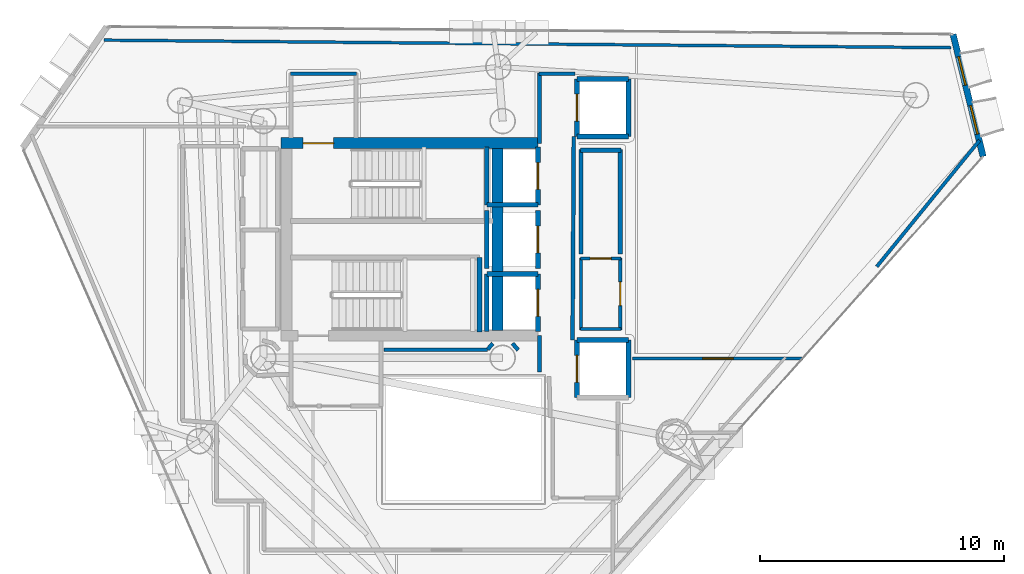
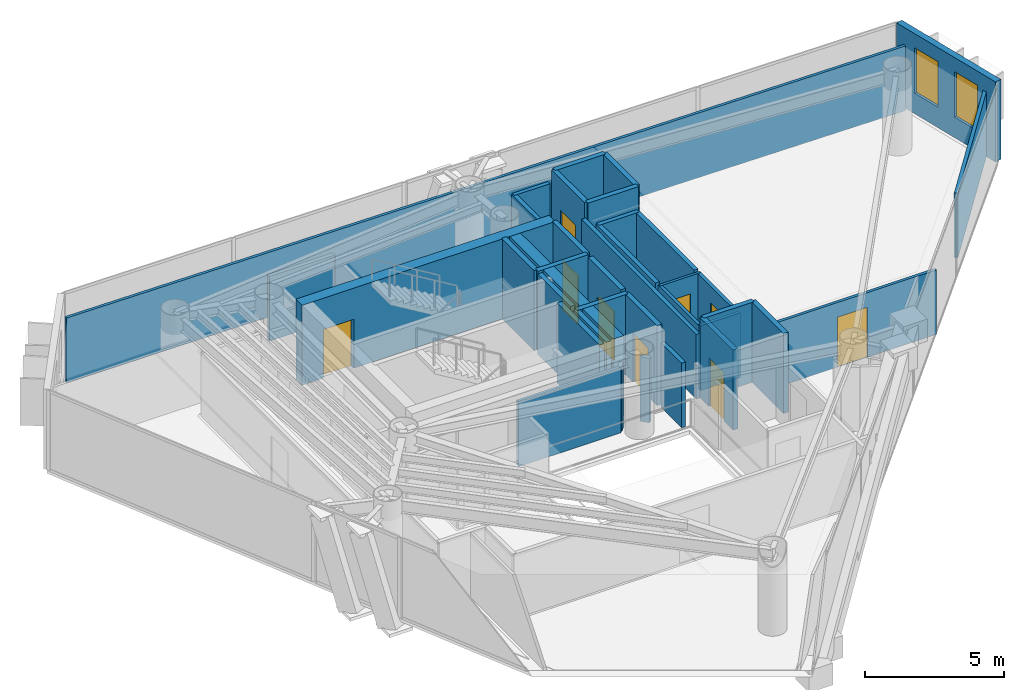
# One storey, part 17 of 21: 37 walls, 9 doors, 2 windows, 11 openings.
"""IFC4 building model written with IfcOpenShell, lengths in metres."""

from ifc_helpers import new_model, si_unit, direction, frame, frame_2d, origin, place, context, subcontext, project, spatial, rectangle, extrude, material, layer, layer_set, type_object, element, fill, save


model = new_model("IFC4")

# Units and contexts
model_context = context("Model", 3, precision=1e-05, world=origin(), true_north=direction((0.0, 1.0)))
body_context = subcontext(model_context, "Body", "Model", "MODEL_VIEW")
ifc_project = project(units=[si_unit("LENGTHUNIT", "METRE"), si_unit("AREAUNIT", "SQUARE_METRE"), si_unit("VOLUMEUNIT", "CUBIC_METRE"), si_unit("PLANEANGLEUNIT", "RADIAN"), si_unit("MASSUNIT", "GRAM", prefix="KILO")], contexts=[model_context])

# Site, building, storey
site_placement = place(None, origin())
site = spatial("IfcSite", under=ifc_project, at=site_placement, CompositionType="ELEMENT")
building_placement = place(site_placement, origin())
building = spatial("IfcBuilding", under=site, at=building_placement, Name="Qianvela Tower", CompositionType="ELEMENT")
storey_placement = place(building_placement, frame((0.0, 0.0, 250.10009765625)))
storey = spatial("IfcBuildingStorey", under=building, at=storey_placement, Name="L64", CompositionType="ELEMENT", Elevation=250.10009765625)

# Wall, openings, windows
ifc_material_1 = material(Name="Terracotta Cladding on Concrete C40", Category="masonry")
ifc_layer_1 = layer(ifc_material_1, 0.260009765625)
ifc_layer_set_1 = layer_set([ifc_layer_1], Name="Terracotta Cladding on Concrete C40")
wall_type_1 = type_object("IfcWallType", Name="TERRACOTTA-WALL-260", PredefinedType="SOLIDWALL", material=ifc_layer_set_1)
wall_1_placement = place(storey_placement, frame((58.08349609375, 32.09912109375, 0.0), z_axis=(0.0, 0.0, 1.0), x_axis=(-0.238833521102, 0.971060528082, 0.0)))
wall_1 = element("IfcWall", 1, at=wall_1_placement, inside=storey, type_object=wall_type_1, Name="L64 Terracotta Chamfer Facet Wall 1", PredefinedType="SOLIDWALL", context=body_context, shape_type="SweptSolid", body=[
    extrude(rectangle(XDim=5.154052734375, YDim=0.260009765625, at=frame_2d((2.5771484375, 0.0))), origin(), (0.0, 0.0, 1.0), 3.52001953125),
])
opening_1_placement = place(wall_1_placement, frame((0.9462890625, 0.0, 0.89990234375)))
opening_1 = element("IfcOpeningElement", 2, at=opening_1_placement, cuts=wall_1, Name="Opening W-03", PredefinedType="OPENING", context=body_context, shape_type="SweptSolid", body=[
    extrude(rectangle(XDim=1.199951171875, YDim=2.0, at=frame_2d((0.60009765625, 1.0))), frame((0.0, 0.139892578125, 0.0), z_axis=(0.0, -1.0, 0.0), x_axis=(1.0, 0.0, 0.0)), (0.0, 0.0, 1.0), 0.280029296875),
])
opening_2_placement = place(wall_1_placement, frame((3.0078125, 0.0, 0.89990234375)))
opening_2 = element("IfcOpeningElement", 3, at=opening_2_placement, cuts=wall_1, Name="Opening W-03", PredefinedType="OPENING", context=body_context, shape_type="SweptSolid", body=[
    extrude(rectangle(XDim=1.199951171875, YDim=2.0, at=frame_2d((0.60009765625, 1.0))), frame((0.0, 0.139892578125, 0.0), z_axis=(0.0, -1.0, 0.0), x_axis=(1.0, 0.0, 0.0)), (0.0, 0.0, 1.0), 0.280029296875),
])
ifc_material_2 = material(Name="Thermally Broken Aluminium and Low-E Glass", Category="aluminium")
window_type = type_object("IfcWindowType", Name="WIN-TC-1200x2000", PartitioningType="SINGLE_PANEL", PredefinedType="WINDOW", material=ifc_material_2)
window_1_placement = place(opening_1_placement, origin())
window_1 = element("IfcWindow", 4, at=window_1_placement, inside=storey, type_object=window_type, Name="L64 Chamfer Facet Window 1.1", OverallHeight=2.0, OverallWidth=1.199951171875, PartitioningType="SINGLE_PANEL", PredefinedType="WINDOW", context=body_context, shape_type="SweptSolid", body=[
    extrude(rectangle(XDim=1.199951171875, YDim=2.0, at=frame_2d((0.60009765625, 1.0))), frame((0.0, 0.030029296875, 0.0), z_axis=(0.0, -1.0, 0.0), x_axis=(1.0, 0.0, 0.0)), (0.0, 0.0, 1.0), 0.06005859375),
])
fill(opening_1, window_1)
window_2_placement = place(opening_2_placement, origin())
window_2 = element("IfcWindow", 5, at=window_2_placement, inside=storey, type_object=window_type, Name="L64 Chamfer Facet Window 1.2", OverallHeight=2.0, OverallWidth=1.199951171875, PartitioningType="SINGLE_PANEL", PredefinedType="WINDOW", context=body_context, shape_type="SweptSolid", body=[
    extrude(rectangle(XDim=1.199951171875, YDim=2.0, at=frame_2d((0.60009765625, 1.0))), frame((0.0, 0.030029296875, 0.0), z_axis=(0.0, -1.0, 0.0), x_axis=(1.0, 0.0, 0.0)), (0.0, 0.0, 1.0), 0.06005859375),
])
fill(opening_2, window_2)

# Wall, opening, door
ifc_material_3 = material(Name="Concrete C50", Category="concrete")
ifc_layer_2 = layer(ifc_material_3, 0.449951171875)
ifc_layer_set_2 = layer_set([ifc_layer_2], Name="Concrete C50")
wall_type_2 = type_object("IfcWallType", Name="WT-CORE-450", PredefinedType="SHEAR", material=ifc_layer_set_2)
wall_2_placement = place(storey_placement, frame((29.330078125, 32.64501953125, 0.0), z_axis=(0.0, 0.0, 1.0), x_axis=(1.0, 0.0, 0.0)))
wall_2 = element("IfcWall", 6, at=wall_2_placement, inside=storey, type_object=wall_type_2, Name="L64 North Core Shear Wall", PredefinedType="SHEAR", context=body_context, shape_type="SweptSolid", body=[
    extrude(rectangle(XDim=10.52001953125, YDim=0.449951171875, at=frame_2d((5.260009765625, 0.0))), origin(), (0.0, 0.0, 1.0), 3.52001953125),
])
opening_3_placement = place(wall_2_placement, frame((0.89501953125, 0.0, 0.0)))
opening_3 = element("IfcOpeningElement", 7, at=opening_3_placement, cuts=wall_2, Name="Opening D-ST1", PredefinedType="OPENING", context=body_context, shape_type="SweptSolid", body=[
    extrude(rectangle(XDim=1.25, YDim=2.14990234375, at=frame_2d((0.625, 1.074951171875))), frame((0.0, 0.23486328125, 0.0), z_axis=(0.0, -1.0, 0.0), x_axis=(1.0, 0.0, 0.0)), (0.0, 0.0, 1.0), 0.469970703125),
])
ifc_material_4 = material(Name="Galvanised Fire Steel Q355B", Category="steel")
door_type_1 = type_object("IfcDoorType", Name="DT-STAIR-FD90", OperationType="NOTDEFINED", PredefinedType="DOOR", material=ifc_material_4)
door_1_placement = place(opening_3_placement, origin())
door_1 = element("IfcDoor", 8, at=door_1_placement, inside=storey, type_object=door_type_1, Name="L64 Stair ST-1 Exit Door", OperationType="SINGLE_SWING_RIGHT", OverallHeight=2.14990234375, OverallWidth=1.25, PredefinedType="DOOR", context=body_context, shape_type="SweptSolid", body=[
    extrude(rectangle(XDim=1.25, YDim=2.14990234375, at=frame_2d((0.625, 1.074951171875))), frame((0.0, 0.02490234375, 0.0), z_axis=(0.0, -1.0, 0.0), x_axis=(1.0, 0.0, 0.0)), (0.0, 0.0, 1.0), 0.050048828125),
])
fill(opening_3, door_1)

# Walls
wall_3_placement = place(storey_placement, frame((38.179931640625, 24.97998046875, 0.0), z_axis=(0.0, 0.0, 1.0), x_axis=(0.0, 1.0, 0.0)))
element("IfcWall", 9, at=wall_3_placement, inside=storey, type_object=wall_type_2, Name="L64 East Spine Core Shear Wall", PredefinedType="SHEAR", context=body_context, shape_type="SweptSolid", body=[
    extrude(rectangle(XDim=7.43994140625, YDim=0.449951171875, at=frame_2d((3.719970703125, 0.0))), origin(), (0.0, 0.0, 1.0), 3.52001953125),
])
ifc_material_5 = material(Name="Fire-Rated Gypsum and Concrete Block", Category="concrete")
ifc_layer_3 = layer(ifc_material_5, 0.159912109375)
ifc_layer_set_3 = layer_set([ifc_layer_3], Name="Fire-Rated Gypsum and Concrete Block")
wall_type_3 = type_object("IfcWallType", Name="WT-CORR-160", PredefinedType="PARTITIONING", material=ifc_layer_set_3)
wall_4_placement = place(storey_placement, frame((29.699951171875, 35.489013671875, 0.0), z_axis=(0.0, 0.0, 1.0), x_axis=(1.0, 0.0, 0.0)))
element("IfcWall", 10, at=wall_4_placement, inside=storey, type_object=wall_type_3, Name="L64 Partition 3", PredefinedType="PARTITIONING", context=body_context, shape_type="SweptSolid", body=[
    extrude(rectangle(XDim=2.719970703125, YDim=0.159912109375, at=frame_2d((1.35986328125, 0.0))), origin(), (0.0, 0.0, 1.0), 2.83984375),
])
wall_5_placement = place(storey_placement, frame((39.910888671875, 23.280029296875, 0.0), z_axis=(0.0, 0.0, 1.0), x_axis=(0.0, 1.0, 0.0)))
element("IfcWall", 11, at=wall_5_placement, inside=storey, type_object=wall_type_3, Name="L64 Partition 10", PredefinedType="PARTITIONING", context=body_context, shape_type="SweptSolid", body=[
    extrude(rectangle(XDim=1.47998046875, YDim=0.159912109375, at=frame_2d((0.739990234375, 0.0))), origin(), (0.0, 0.0, 1.0), 2.83984375),
])
wall_6_placement = place(storey_placement, frame((39.910888671875, 32.639892578125, 0.0), z_axis=(0.0, 0.0, 1.0), x_axis=(0.0, 1.0, 0.0)))
element("IfcWall", 12, at=wall_6_placement, inside=storey, type_object=wall_type_3, Name="L64 Partition 12", PredefinedType="PARTITIONING", context=body_context, shape_type="SweptSolid", body=[
    extrude(rectangle(XDim=2.880126953125, YDim=0.159912109375, at=frame_2d((1.43994140625, 0.0))), origin(), (0.0, 0.0, 1.0), 2.83984375),
])
wall_7_placement = place(storey_placement, frame((39.8798828125, 35.489013671875, 0.0), z_axis=(0.0, 0.0, 1.0), x_axis=(1.0, 0.0, 0.0)))
element("IfcWall", 13, at=wall_7_placement, inside=storey, type_object=wall_type_3, Name="L64 Partition 13", PredefinedType="PARTITIONING", context=body_context, shape_type="SweptSolid", body=[
    extrude(rectangle(XDim=1.480224609375, YDim=0.159912109375, at=frame_2d((0.740234375, 0.0))), origin(), (0.0, 0.0, 1.0), 2.83984375),
])
wall_8_placement = place(storey_placement, frame((41.3134765625, 32.919921875, 0.0), z_axis=(0.0, 0.0, 1.0), x_axis=(-0.005942518022, -0.999982343084, 0.0)))
element("IfcWall", 14, at=wall_8_placement, inside=storey, type_object=wall_type_3, Name="L64 Partition 14 seg 2", PredefinedType="PARTITIONING", context=body_context, shape_type="SweptSolid", body=[
    extrude(rectangle(XDim=8.340087890625, YDim=0.159912109375, at=frame_2d((4.169921875, 0.0))), origin(), (0.0, 0.0, 1.0), 2.83984375),
])
wall_9_placement = place(storey_placement, frame((39.0361328125, 24.170166015625, 0.0), z_axis=(0.0, 0.0, 1.0), x_axis=(-0.652260263346, 0.757995084984, 0.0)))
element("IfcWall", 15, at=wall_9_placement, inside=storey, type_object=wall_type_3, Name="L64 Partition 49", PredefinedType="PARTITIONING", context=body_context, shape_type="SweptSolid", body=[
    extrude(rectangle(XDim=0.35546875, YDim=0.159912109375, at=frame_2d((0.177734375, 0.0))), origin(), (0.0, 0.0, 1.0), 2.83984375),
])
wall_10_placement = place(storey_placement, frame((37.995849609375, 24.439697265625, 0.0), z_axis=(0.0, 0.0, 1.0), x_axis=(-0.652425645794, -0.757852740782, 0.0)))
element("IfcWall", 16, at=wall_10_placement, inside=storey, type_object=wall_type_3, Name="L64 Partition 52", PredefinedType="PARTITIONING", context=body_context, shape_type="SweptSolid", body=[
    extrude(rectangle(XDim=0.319580078125, YDim=0.159912109375, at=frame_2d((0.15966796875, 0.0))), origin(), (0.0, 0.0, 1.0), 2.83984375),
])
wall_11_placement = place(storey_placement, frame((37.787353515625, 24.180908203125, 0.0), z_axis=(0.0, 0.0, 1.0), x_axis=(-1.0, 0.0, 0.0)))
element("IfcWall", 17, at=wall_11_placement, inside=storey, type_object=wall_type_3, Name="L64 Partition 53", PredefinedType="PARTITIONING", context=body_context, shape_type="SweptSolid", body=[
    extrude(rectangle(XDim=4.25732421875, YDim=0.159912109375, at=frame_2d((2.128662109375, 0.0))), origin(), (0.0, 0.0, 1.0), 2.83984375),
])

# Wall, opening, door
ifc_material_6 = material(Name="Lightweight Gypsum Room Partition")
ifc_layer_4 = layer(ifc_material_6, 0.10498046875)
ifc_layer_set_4 = layer_set([ifc_layer_4], Name="Lightweight Gypsum Room Partition")
wall_type_4 = type_object("IfcWallType", Name="WT-PART-105", PredefinedType="PARTITIONING", material=ifc_layer_set_4)
wall_12_placement = place(storey_placement, frame((41.580078125, 27.9189453125, 0.0), z_axis=(0.0, 0.0, 1.0), x_axis=(1.0, 0.0, 0.0)))
wall_12 = element("IfcWall", 18, at=wall_12_placement, inside=storey, type_object=wall_type_4, Name="L64 Partition 21", PredefinedType="PARTITIONING", context=body_context, shape_type="SweptSolid", body=[
    extrude(rectangle(XDim=1.669921875, YDim=0.10498046875, at=frame_2d((0.8349609375, 0.0))), origin(), (0.0, 0.0, 1.0), 2.83984375),
])
opening_4_placement = place(wall_12_placement, frame((0.405029296875, 0.0, 0.0)))
opening_4 = element("IfcOpeningElement", 19, at=opening_4_placement, cuts=wall_12, Name="Opening D-WC1", PredefinedType="OPENING", context=body_context, shape_type="SweptSolid", body=[
    extrude(rectangle(XDim=0.860107421875, YDim=2.050048828125, at=frame_2d((0.43017578125, 1.02490234375))), frame((0.0, 0.0625, 0.0), z_axis=(0.0, -1.0, 0.0), x_axis=(1.0, 0.0, 0.0)), (0.0, 0.0, 1.0), 0.125),
])
ifc_material_7 = material(Name="Moisture-Sealed Acoustic Timber Door", Category="wood")
door_type_2 = type_object("IfcDoorType", Name="DT-WC-860", OperationType="NOTDEFINED", PredefinedType="DOOR", material=ifc_material_7)
door_2_placement = place(opening_4_placement, origin())
door_2 = element("IfcDoor", 20, at=door_2_placement, inside=storey, type_object=door_type_2, Name="L64 Door L64 Accessible WC to L64 Cleaner Store", OperationType="SINGLE_SWING_LEFT", OverallHeight=2.050048828125, OverallWidth=0.860107421875, PredefinedType="DOOR", context=body_context, shape_type="SweptSolid", body=[
    extrude(rectangle(XDim=0.860107421875, YDim=2.050048828125, at=frame_2d((0.43017578125, 1.02490234375))), frame((0.0, 0.02490234375, 0.0), z_axis=(0.0, -1.0, 0.0), x_axis=(1.0, 0.0, 0.0)), (0.0, 0.0, 1.0), 0.050048828125),
])
fill(opening_4, door_2)

# Wall
ifc_material_8 = material(Name="Insulated Gypsum Stud Partition")
ifc_layer_5 = layer(ifc_material_8, 0.1201171875)
ifc_layer_set_5 = layer_set([ifc_layer_5], Name="Insulated Gypsum Stud Partition")
wall_type_5 = type_object("IfcWallType", Name="WT-PART-120", PredefinedType="PARTITIONING", material=ifc_layer_set_5)
wall_13_placement = place(storey_placement, frame((41.611083984375, 25.0, 0.0), z_axis=(0.0, 0.0, 1.0), x_axis=(0.0, 1.0, 0.0)))
element("IfcWall", 21, at=wall_13_placement, inside=storey, type_object=wall_type_5, Name="L64 Partition 20", PredefinedType="PARTITIONING", context=body_context, shape_type="SweptSolid", body=[
    extrude(rectangle(XDim=2.949951171875, YDim=0.1201171875, at=frame_2d((1.47509765625, 0.0))), origin(), (0.0, 0.0, 1.0), 2.83984375),
])

# Wall, opening, door
wall_14_placement = place(storey_placement, frame((43.719970703125, 23.826904296875, 0.0), z_axis=(0.0, 0.0, 1.0), x_axis=(1.0, 0.0, 0.0)))
wall_14 = element("IfcWall", 22, at=wall_14_placement, inside=storey, type_object=wall_type_5, Name="L64 Partition 77", PredefinedType="PARTITIONING", context=body_context, shape_type="SweptSolid", body=[
    extrude(rectangle(XDim=6.9853515625, YDim=0.1201171875, at=frame_2d((3.49267578125, 0.0))), origin(), (0.0, 0.0, 1.0), 2.83984375),
])
opening_5_placement = place(wall_14_placement, frame((2.86767578125, 0.0, 0.0)))
opening_5 = element("IfcOpeningElement", 23, at=opening_5_placement, cuts=wall_14, Name="Opening D-LG1", PredefinedType="OPENING", context=body_context, shape_type="SweptSolid", body=[
    extrude(rectangle(XDim=1.25, YDim=2.199951171875, at=frame_2d((0.625, 1.10009765625))), frame((0.0, 0.070068359375, 0.0), z_axis=(0.0, -1.0, 0.0), x_axis=(1.0, 0.0, 0.0)), (0.0, 0.0, 1.0), 0.14013671875),
])
ifc_material_9 = material(Name="Anodised Aluminium Acoustic Glass Door", Category="aluminium")
door_type_3 = type_object("IfcDoorType", Name="DT-LOUNGE-1250", OperationType="NOTDEFINED", PredefinedType="DOOR", material=ifc_material_9)
door_3_placement = place(opening_5_placement, origin())
door_3 = element("IfcDoor", 24, at=door_3_placement, inside=storey, type_object=door_type_3, Name="L64 Door Maker Craft Workshop L64-04 to Debate Lecture Classroom L64-02", OperationType="SINGLE_SWING_LEFT", OverallHeight=2.199951171875, OverallWidth=1.25, PredefinedType="DOOR", context=body_context, shape_type="SweptSolid", body=[
    extrude(rectangle(XDim=1.25, YDim=2.199951171875, at=frame_2d((0.625, 1.10009765625))), frame((0.0, 0.02490234375, 0.0), z_axis=(0.0, -1.0, 0.0), x_axis=(1.0, 0.0, 0.0)), (0.0, 0.0, 1.0), 0.050048828125),
])
fill(opening_5, door_3)

# Walls
wall_15_placement = place(storey_placement, frame((22.064453125, 36.864501953125, 0.0), z_axis=(0.0, 0.0, 1.0), x_axis=(0.999959914734, -0.008953710146, 0.0)))
element("IfcWall", 25, at=wall_15_placement, inside=storey, type_object=wall_type_5, Name="L64 Partition 110", PredefinedType="PARTITIONING", context=body_context, shape_type="SweptSolid", body=[
    extrude(rectangle(XDim=34.7109375, YDim=0.1201171875, at=frame_2d((17.35546875, 0.0))), origin(), (0.0, 0.0, 1.0), 2.83984375),
])
ifc_material_10 = material(Name="Moisture-Resistant Acoustic Plumbing Wall")
ifc_layer_6 = layer(ifc_material_10, 0.175048828125)
ifc_layer_set_6 = layer_set([ifc_layer_6], Name="Moisture-Resistant Acoustic Plumbing Wall")
wall_type_6 = type_object("IfcWallType", Name="WT-PLUMB-175", PredefinedType="PLUMBINGWALL", material=ifc_layer_set_6)
wall_16_placement = place(storey_placement, frame((41.611083984375, 28.110107421875, 0.0), z_axis=(0.0, 0.0, 1.0), x_axis=(0.0, 1.0, 0.0)))
element("IfcWall", 26, at=wall_16_placement, inside=storey, type_object=wall_type_6, Name="L64 Partition 24", PredefinedType="PLUMBINGWALL", context=body_context, shape_type="SweptSolid", body=[
    extrude(rectangle(XDim=4.269775390625, YDim=0.175048828125, at=frame_2d((2.134765625, 0.0))), origin(), (0.0, 0.0, 1.0), 2.83984375),
])
wall_17_placement = place(storey_placement, frame((41.580078125, 32.34912109375, 0.0), z_axis=(0.0, 0.0, 1.0), x_axis=(1.0, 0.0, 0.0)))
element("IfcWall", 27, at=wall_17_placement, inside=storey, type_object=wall_type_6, Name="L64 Partition 25", PredefinedType="PLUMBINGWALL", context=body_context, shape_type="SweptSolid", body=[
    extrude(rectangle(XDim=1.669921875, YDim=0.175048828125, at=frame_2d((0.8349609375, 0.0))), origin(), (0.0, 0.0, 1.0), 2.83984375),
])
wall_18_placement = place(storey_placement, frame((43.218994140625, 32.3798828125, 0.0), z_axis=(0.0, 0.0, 1.0), x_axis=(0.0, -1.0, 0.0)))
element("IfcWall", 28, at=wall_18_placement, inside=storey, type_object=wall_type_6, Name="L64 Partition 26", PredefinedType="PLUMBINGWALL", context=body_context, shape_type="SweptSolid", body=[
    extrude(rectangle(XDim=4.269775390625, YDim=0.175048828125, at=frame_2d((2.134765625, 0.0))), origin(), (0.0, 0.0, 1.0), 2.83984375),
])
ifc_material_11 = material(Name="Acoustic Double Gypsum Stud Partition")
ifc_layer_7 = layer(ifc_material_11, 0.139892578125)
ifc_layer_set_7 = layer_set([ifc_layer_7], Name="Acoustic Double Gypsum Stud Partition")
wall_type_7 = type_object("IfcWallType", Name="WT-ROOM-140", PredefinedType="PARTITIONING", material=ifc_layer_set_7)
wall_19_placement = place(storey_placement, frame((43.25, 25.031005859375, 0.0), z_axis=(0.0, 0.0, 1.0), x_axis=(-1.0, 0.0, 0.0)))
element("IfcWall", 29, at=wall_19_placement, inside=storey, type_object=wall_type_7, Name="L64 Partition 19", PredefinedType="PARTITIONING", context=body_context, shape_type="SweptSolid", body=[
    extrude(rectangle(XDim=1.669921875, YDim=0.139892578125, at=frame_2d((0.8349609375, 0.0))), origin(), (0.0, 0.0, 1.0), 2.83984375),
])

# Wall, opening, door
wall_20_placement = place(storey_placement, frame((43.218994140625, 27.949951171875, 0.0), z_axis=(0.0, 0.0, 1.0), x_axis=(0.0, -1.0, 0.0)))
wall_20 = element("IfcWall", 30, at=wall_20_placement, inside=storey, type_object=wall_type_7, Name="L64 Partition 22", PredefinedType="PARTITIONING", context=body_context, shape_type="SweptSolid", body=[
    extrude(rectangle(XDim=2.949951171875, YDim=0.139892578125, at=frame_2d((1.47509765625, 0.0))), origin(), (0.0, 0.0, 1.0), 2.83984375),
])
opening_6_placement = place(wall_20_placement, frame((0.985107421875, 0.0, 0.0)))
opening_6 = element("IfcOpeningElement", 31, at=opening_6_placement, cuts=wall_20, Name="Opening D-RM1", PredefinedType="OPENING", context=body_context, shape_type="SweptSolid", body=[
    extrude(rectangle(XDim=0.97998046875, YDim=2.10009765625, at=frame_2d((0.489990234375, 1.050048828125))), frame((0.0, 0.079833984375, 0.0), z_axis=(0.0, -1.0, 0.0), x_axis=(1.0, 0.0, 0.0)), (0.0, 0.0, 1.0), 0.159912109375),
])
ifc_material_12 = material(Name="Solid Core Acoustic Timber Fire Door", Category="wood")
door_type_4 = type_object("IfcDoorType", Name="DT-ROOM-FD60", OperationType="NOTDEFINED", PredefinedType="DOOR", material=ifc_material_12)
door_4_placement = place(opening_6_placement, origin())
door_4 = element("IfcDoor", 32, at=door_4_placement, inside=storey, type_object=door_type_4, Name="L64 Door L64 Cleaner Store to Maker Craft Workshop L64-04", OperationType="SINGLE_SWING_RIGHT", OverallHeight=2.10009765625, OverallWidth=0.97998046875, PredefinedType="DOOR", context=body_context, shape_type="SweptSolid", body=[
    extrude(rectangle(XDim=0.97998046875, YDim=2.10009765625, at=frame_2d((0.489990234375, 1.050048828125))), frame((0.0, 0.02490234375, 0.0), z_axis=(0.0, -1.0, 0.0), x_axis=(1.0, 0.0, 0.0)), (0.0, 0.0, 1.0), 0.050048828125),
])
fill(opening_6, door_4)

# Walls
wall_21_placement = place(storey_placement, frame((57.937255859375, 32.76220703125, 0.0), z_axis=(0.0, 0.0, 1.0), x_axis=(-0.631144944802, -0.775664913897, 0.0)))
element("IfcWall", 33, at=wall_21_placement, inside=storey, type_object=wall_type_7, Name="L64 Partition 112 seg 1", PredefinedType="PARTITIONING", context=body_context, shape_type="SweptSolid", body=[
    extrude(rectangle(XDim=6.671142578125, YDim=0.139892578125, at=frame_2d((3.33544921875, 0.0))), origin(), (0.0, 0.0, 1.0), 2.83984375),
])
ifc_material_13 = material(Name="Concrete C50", Category="concrete")
ifc_layer_8 = layer(ifc_material_13, 0.199951171875)
ifc_layer_set_8 = layer_set([ifc_layer_8], Name="Concrete C50")
wall_type_8 = type_object("IfcWallType", Name="WT-SHAFT-200", PredefinedType="SOLIDWALL", material=ifc_layer_set_8)
wall_22_placement = place(storey_placement, frame((37.449951171875, 24.89990234375, 0.0), z_axis=(0.0, 0.0, 1.0), x_axis=(0.0, 1.0, 0.0)))
element("IfcWall", 34, at=wall_22_placement, inside=storey, type_object=wall_type_8, Name="L64 Stair ST-2 East Wall", PredefinedType="SOLIDWALL", context=body_context, shape_type="SweptSolid", body=[
    extrude(rectangle(XDim=3.06005859375, YDim=0.199951171875, at=frame_2d((1.530029296875, 0.0))), origin(), (0.0, 0.0, 1.0), 3.52001953125),
])

# Wall, opening, door
wall_23_placement = place(storey_placement, frame((39.85009765625, 30.1201171875, 0.0), z_axis=(0.0, 0.0, 1.0), x_axis=(0.0, 1.0, 0.0)))
wall_23 = element("IfcWall", 35, at=wall_23_placement, inside=storey, type_object=wall_type_8, Name="L64 Lift FL-1 E Shaft Wall", PredefinedType="SOLIDWALL", context=body_context, shape_type="SweptSolid", body=[
    extrude(rectangle(XDim=2.35986328125, YDim=0.199951171875, at=frame_2d((1.179931640625, 0.0))), origin(), (0.0, 0.0, 1.0), 3.52001953125),
])
opening_7_placement = place(wall_23_placement, frame((0.6298828125, 0.0, 0.0)))
opening_7 = element("IfcOpeningElement", 36, at=opening_7_placement, cuts=wall_23, Name="Opening LD-01", PredefinedType="OPENING", context=body_context, shape_type="SweptSolid", body=[
    extrude(rectangle(XDim=1.10009765625, YDim=2.14990234375, at=frame_2d((0.550048828125, 1.074951171875))), frame((0.0, 0.10986328125, 0.0), z_axis=(0.0, -1.0, 0.0), x_axis=(1.0, 0.0, 0.0)), (0.0, 0.0, 1.0), 0.219970703125),
])
ifc_material_14 = material(Name="Brushed Stainless Steel Lift Landing Door", Category="steel")
door_type_5 = type_object("IfcDoorType", Name="DT-LIFT-SLIDE-1100", OperationType="SLIDING_TO_LEFT", PredefinedType="DOOR", material=ifc_material_14)
door_5_placement = place(opening_7_placement, origin())
door_5 = element("IfcDoor", 37, at=door_5_placement, inside=storey, type_object=door_type_5, Name="L64 Lift FL-1 Sliding Landing Door", OperationType="SLIDING_TO_LEFT", OverallHeight=2.14990234375, OverallWidth=1.10009765625, PredefinedType="DOOR", context=body_context, shape_type="SweptSolid", body=[
    extrude(rectangle(XDim=1.10009765625, YDim=2.14990234375, at=frame_2d((0.550048828125, 1.074951171875))), frame((0.0, 0.02490234375, 0.0), z_axis=(0.0, -1.0, 0.0), x_axis=(1.0, 0.0, 0.0)), (0.0, 0.0, 1.0), 0.050048828125),
])
fill(opening_7, door_5)

# Walls
wall_24_placement = place(storey_placement, frame((37.75, 30.1201171875, 0.0), z_axis=(0.0, 0.0, 1.0), x_axis=(0.0, 1.0, 0.0)))
element("IfcWall", 38, at=wall_24_placement, inside=storey, type_object=wall_type_8, Name="L64 Lift FL-1 W Shaft Wall", PredefinedType="SOLIDWALL", context=body_context, shape_type="SweptSolid", body=[
    extrude(rectangle(XDim=2.35986328125, YDim=0.199951171875, at=frame_2d((1.179931640625, 0.0))), origin(), (0.0, 0.0, 1.0), 3.52001953125),
])
wall_25_placement = place(storey_placement, frame((37.75, 30.1201171875, 0.0), z_axis=(0.0, 0.0, 1.0), x_axis=(1.0, 0.0, 0.0)))
element("IfcWall", 39, at=wall_25_placement, inside=storey, type_object=wall_type_8, Name="L64 Lift FL-1 S Shaft Wall", PredefinedType="SOLIDWALL", context=body_context, shape_type="SweptSolid", body=[
    extrude(rectangle(XDim=2.10009765625, YDim=0.199951171875, at=frame_2d((1.050048828125, 0.0))), origin(), (0.0, 0.0, 1.0), 3.52001953125),
])

# Wall, opening, door
wall_26_placement = place(storey_placement, frame((39.85009765625, 24.919921875, 0.0), z_axis=(0.0, 0.0, 1.0), x_axis=(0.0, 1.0, 0.0)))
wall_26 = element("IfcWall", 40, at=wall_26_placement, inside=storey, type_object=wall_type_8, Name="L64 Lift FL-2 E Shaft Wall", PredefinedType="SOLIDWALL", context=body_context, shape_type="SweptSolid", body=[
    extrude(rectangle(XDim=2.360107421875, YDim=0.199951171875, at=frame_2d((1.18017578125, 0.0))), origin(), (0.0, 0.0, 1.0), 3.52001953125),
])
opening_8_placement = place(wall_26_placement, frame((0.6298828125, 0.0, 0.0)))
opening_8 = element("IfcOpeningElement", 41, at=opening_8_placement, cuts=wall_26, Name="Opening LD-01", PredefinedType="OPENING", context=body_context, shape_type="SweptSolid", body=[
    extrude(rectangle(XDim=1.10009765625, YDim=2.14990234375, at=frame_2d((0.550048828125, 1.074951171875))), frame((0.0, 0.10986328125, 0.0), z_axis=(0.0, -1.0, 0.0), x_axis=(1.0, 0.0, 0.0)), (0.0, 0.0, 1.0), 0.219970703125),
])
door_6_placement = place(opening_8_placement, origin())
door_6 = element("IfcDoor", 42, at=door_6_placement, inside=storey, type_object=door_type_5, Name="L64 Lift FL-2 Sliding Landing Door", OperationType="SLIDING_TO_LEFT", OverallHeight=2.14990234375, OverallWidth=1.10009765625, PredefinedType="DOOR", context=body_context, shape_type="SweptSolid", body=[
    extrude(rectangle(XDim=1.10009765625, YDim=2.14990234375, at=frame_2d((0.550048828125, 1.074951171875))), frame((0.0, 0.02490234375, 0.0), z_axis=(0.0, -1.0, 0.0), x_axis=(1.0, 0.0, 0.0)), (0.0, 0.0, 1.0), 0.050048828125),
])
fill(opening_8, door_6)

# Walls
wall_27_placement = place(storey_placement, frame((37.75, 24.919921875, 0.0), z_axis=(0.0, 0.0, 1.0), x_axis=(0.0, 1.0, 0.0)))
element("IfcWall", 43, at=wall_27_placement, inside=storey, type_object=wall_type_8, Name="L64 Lift FL-2 W Shaft Wall", PredefinedType="SOLIDWALL", context=body_context, shape_type="SweptSolid", body=[
    extrude(rectangle(XDim=2.360107421875, YDim=0.199951171875, at=frame_2d((1.18017578125, 0.0))), origin(), (0.0, 0.0, 1.0), 3.52001953125),
])
wall_28_placement = place(storey_placement, frame((37.75, 27.280029296875, 0.0), z_axis=(0.0, 0.0, 1.0), x_axis=(1.0, 0.0, 0.0)))
element("IfcWall", 44, at=wall_28_placement, inside=storey, type_object=wall_type_8, Name="L64 Lift FL-2 N Shaft Wall", PredefinedType="SOLIDWALL", context=body_context, shape_type="SweptSolid", body=[
    extrude(rectangle(XDim=2.10009765625, YDim=0.199951171875, at=frame_2d((1.050048828125, 0.0))), origin(), (0.0, 0.0, 1.0), 3.52001953125),
])

# Wall, opening, door
wall_29_placement = place(storey_placement, frame((39.85009765625, 27.52001953125, 0.0), z_axis=(0.0, 0.0, 1.0), x_axis=(0.0, 1.0, 0.0)))
wall_29 = element("IfcWall", 45, at=wall_29_placement, inside=storey, type_object=wall_type_8, Name="L64 Lift PL-H1 E Shaft Wall", PredefinedType="SOLIDWALL", context=body_context, shape_type="SweptSolid", body=[
    extrude(rectangle(XDim=2.35986328125, YDim=0.199951171875, at=frame_2d((1.179931640625, 0.0))), origin(), (0.0, 0.0, 1.0), 3.52001953125),
])
opening_9_placement = place(wall_29_placement, frame((0.6298828125, 0.0, 0.0)))
opening_9 = element("IfcOpeningElement", 46, at=opening_9_placement, cuts=wall_29, Name="Opening LD-01", PredefinedType="OPENING", context=body_context, shape_type="SweptSolid", body=[
    extrude(rectangle(XDim=1.10009765625, YDim=2.14990234375, at=frame_2d((0.550048828125, 1.074951171875))), frame((0.0, 0.10986328125, 0.0), z_axis=(0.0, -1.0, 0.0), x_axis=(1.0, 0.0, 0.0)), (0.0, 0.0, 1.0), 0.219970703125),
])
door_7_placement = place(opening_9_placement, origin())
door_7 = element("IfcDoor", 47, at=door_7_placement, inside=storey, type_object=door_type_5, Name="L64 Lift PL-H1 Sliding Landing Door", OperationType="SLIDING_TO_LEFT", OverallHeight=2.14990234375, OverallWidth=1.10009765625, PredefinedType="DOOR", context=body_context, shape_type="SweptSolid", body=[
    extrude(rectangle(XDim=1.10009765625, YDim=2.14990234375, at=frame_2d((0.550048828125, 1.074951171875))), frame((0.0, 0.02490234375, 0.0), z_axis=(0.0, -1.0, 0.0), x_axis=(1.0, 0.0, 0.0)), (0.0, 0.0, 1.0), 0.050048828125),
])
fill(opening_9, door_7)

# Walls
wall_30_placement = place(storey_placement, frame((37.75, 27.52001953125, 0.0), z_axis=(0.0, 0.0, 1.0), x_axis=(0.0, 1.0, 0.0)))
element("IfcWall", 48, at=wall_30_placement, inside=storey, type_object=wall_type_8, Name="L64 Lift PL-H1 W Shaft Wall", PredefinedType="SOLIDWALL", context=body_context, shape_type="SweptSolid", body=[
    extrude(rectangle(XDim=2.35986328125, YDim=0.199951171875, at=frame_2d((1.179931640625, 0.0))), origin(), (0.0, 0.0, 1.0), 3.52001953125),
])
wall_31_placement = place(storey_placement, frame((43.550048828125, 22.219970703125, 0.0), z_axis=(0.0, 0.0, 1.0), x_axis=(0.0, 1.0, 0.0)))
element("IfcWall", 49, at=wall_31_placement, inside=storey, type_object=wall_type_8, Name="L64 Lift PL-H2 E Shaft Wall", PredefinedType="SOLIDWALL", context=body_context, shape_type="SweptSolid", body=[
    extrude(rectangle(XDim=2.360107421875, YDim=0.199951171875, at=frame_2d((1.18017578125, 0.0))), origin(), (0.0, 0.0, 1.0), 3.52001953125),
])

# Wall, opening, door
wall_32_placement = place(storey_placement, frame((41.449951171875, 22.219970703125, 0.0), z_axis=(0.0, 0.0, 1.0), x_axis=(0.0, 1.0, 0.0)))
wall_32 = element("IfcWall", 50, at=wall_32_placement, inside=storey, type_object=wall_type_8, Name="L64 Lift PL-H2 W Shaft Wall", PredefinedType="SOLIDWALL", context=body_context, shape_type="SweptSolid", body=[
    extrude(rectangle(XDim=2.360107421875, YDim=0.199951171875, at=frame_2d((1.18017578125, 0.0))), origin(), (0.0, 0.0, 1.0), 3.52001953125),
])
opening_10_placement = place(wall_32_placement, frame((0.6298828125, 0.0, 0.0)))
opening_10 = element("IfcOpeningElement", 51, at=opening_10_placement, cuts=wall_32, Name="Opening LD-01", PredefinedType="OPENING", context=body_context, shape_type="SweptSolid", body=[
    extrude(rectangle(XDim=1.10009765625, YDim=2.14990234375, at=frame_2d((0.550048828125, 1.074951171875))), frame((0.0, 0.10986328125, 0.0), z_axis=(0.0, -1.0, 0.0), x_axis=(1.0, 0.0, 0.0)), (0.0, 0.0, 1.0), 0.219970703125),
])
door_8_placement = place(opening_10_placement, origin())
door_8 = element("IfcDoor", 52, at=door_8_placement, inside=storey, type_object=door_type_5, Name="L64 Lift PL-H2 Sliding Landing Door", OperationType="SLIDING_TO_LEFT", OverallHeight=2.14990234375, OverallWidth=1.10009765625, PredefinedType="DOOR", context=body_context, shape_type="SweptSolid", body=[
    extrude(rectangle(XDim=1.10009765625, YDim=2.14990234375, at=frame_2d((0.550048828125, 1.074951171875))), frame((0.0, 0.02490234375, 0.0), z_axis=(0.0, -1.0, 0.0), x_axis=(1.0, 0.0, 0.0)), (0.0, 0.0, 1.0), 0.050048828125),
])
fill(opening_10, door_8)

# Walls
wall_33_placement = place(storey_placement, frame((41.449951171875, 24.580078125, 0.0), z_axis=(0.0, 0.0, 1.0), x_axis=(1.0, 0.0, 0.0)))
element("IfcWall", 53, at=wall_33_placement, inside=storey, type_object=wall_type_8, Name="L64 Lift PL-H2 N Shaft Wall", PredefinedType="SOLIDWALL", context=body_context, shape_type="SweptSolid", body=[
    extrude(rectangle(XDim=2.10009765625, YDim=0.199951171875, at=frame_2d((1.050048828125, 0.0))), origin(), (0.0, 0.0, 1.0), 3.52001953125),
])
wall_34_placement = place(storey_placement, frame((43.550048828125, 32.919921875, 0.0), z_axis=(0.0, 0.0, 1.0), x_axis=(0.0, 1.0, 0.0)))
element("IfcWall", 54, at=wall_34_placement, inside=storey, type_object=wall_type_8, Name="L64 Lift PL-H3 E Shaft Wall", PredefinedType="SOLIDWALL", context=body_context, shape_type="SweptSolid", body=[
    extrude(rectangle(XDim=2.360107421875, YDim=0.199951171875, at=frame_2d((1.18017578125, 0.0))), origin(), (0.0, 0.0, 1.0), 3.52001953125),
])

# Wall, opening, door
wall_35_placement = place(storey_placement, frame((41.449951171875, 32.919921875, 0.0), z_axis=(0.0, 0.0, 1.0), x_axis=(0.0, 1.0, 0.0)))
wall_35 = element("IfcWall", 55, at=wall_35_placement, inside=storey, type_object=wall_type_8, Name="L64 Lift PL-H3 W Shaft Wall", PredefinedType="SOLIDWALL", context=body_context, shape_type="SweptSolid", body=[
    extrude(rectangle(XDim=2.360107421875, YDim=0.199951171875, at=frame_2d((1.18017578125, 0.0))), origin(), (0.0, 0.0, 1.0), 3.52001953125),
])
opening_11_placement = place(wall_35_placement, frame((0.6298828125, 0.0, 0.0)))
opening_11 = element("IfcOpeningElement", 56, at=opening_11_placement, cuts=wall_35, Name="Opening LD-01", PredefinedType="OPENING", context=body_context, shape_type="SweptSolid", body=[
    extrude(rectangle(XDim=1.10009765625, YDim=2.14990234375, at=frame_2d((0.550048828125, 1.074951171875))), frame((0.0, 0.10986328125, 0.0), z_axis=(0.0, -1.0, 0.0), x_axis=(1.0, 0.0, 0.0)), (0.0, 0.0, 1.0), 0.219970703125),
])
door_9_placement = place(opening_11_placement, origin())
door_9 = element("IfcDoor", 57, at=door_9_placement, inside=storey, type_object=door_type_5, Name="L64 Lift PL-H3 Sliding Landing Door", OperationType="SLIDING_TO_LEFT", OverallHeight=2.14990234375, OverallWidth=1.10009765625, PredefinedType="DOOR", context=body_context, shape_type="SweptSolid", body=[
    extrude(rectangle(XDim=1.10009765625, YDim=2.14990234375, at=frame_2d((0.550048828125, 1.074951171875))), frame((0.0, 0.02490234375, 0.0), z_axis=(0.0, -1.0, 0.0), x_axis=(1.0, 0.0, 0.0)), (0.0, 0.0, 1.0), 0.050048828125),
])
fill(opening_11, door_9)

# Walls
for number, where, z_axis, x_axis, name in (
    (58, (41.449951171875, 35.280029296875, 0.0), (0.0, 0.0, 1.0), (1.0, 0.0, 0.0), "L64 Lift PL-H3 N Shaft Wall"),
    (59, (41.449951171875, 32.919921875, 0.0), (0.0, 0.0, 1.0), (1.0, 0.0, 0.0), "L64 Lift PL-H3 S Shaft Wall"),
):
    element("IfcWall", number, at=place(storey_placement, frame(where, z_axis=z_axis, x_axis=x_axis)), inside=storey, type_object=wall_type_8, Name=name, PredefinedType="SOLIDWALL", context=body_context, shape_type="SweptSolid", body=[
        extrude(rectangle(XDim=2.10009765625, YDim=0.199951171875, at=frame_2d((1.050048828125, 0.0))), origin(), (0.0, 0.0, 1.0), 3.52001953125),
    ])

save(model, "model.ifc")
